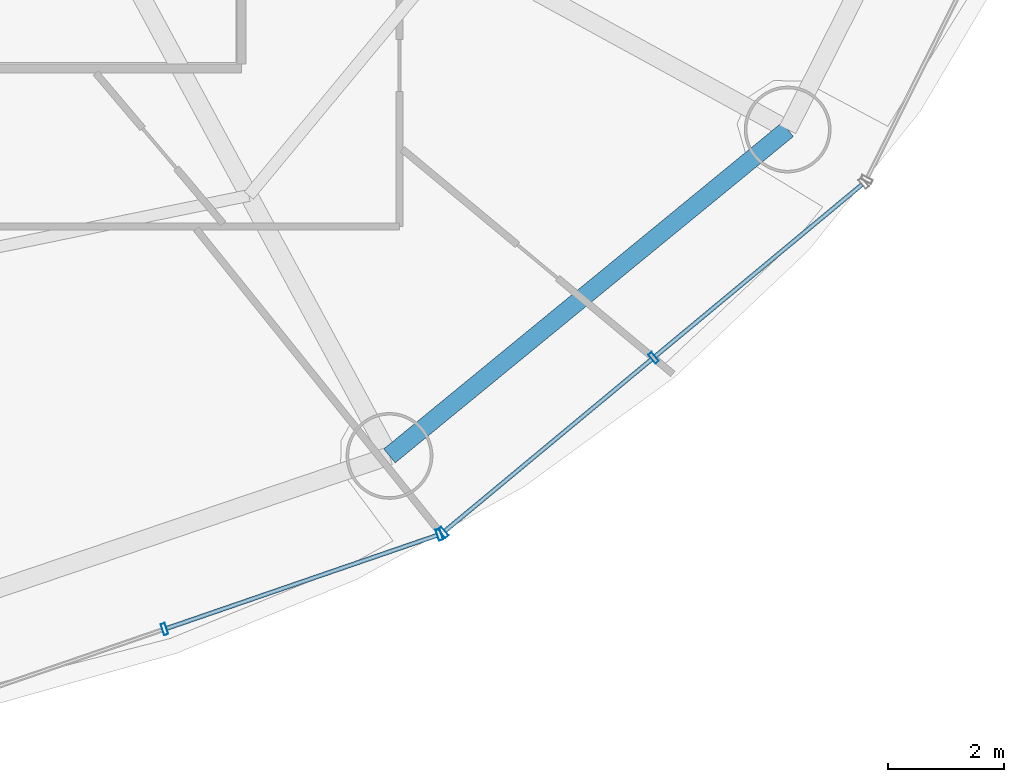
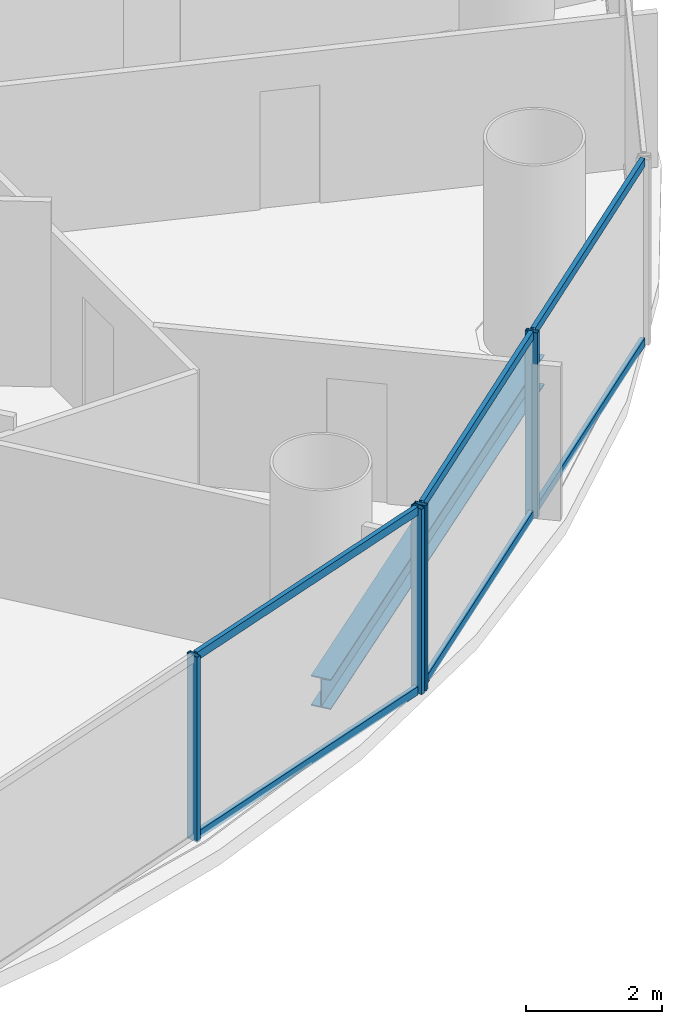
# One storey, part 11 of 29: 10 members, 1 beam, 2 elements without a shape of their own.
"""IFC4 building model written with IfcOpenShell, lengths in metres."""

from ifc_helpers import new_model, si_unit, direction, frame, origin, origin_2d, place, context, subcontext, project, spatial, hollow_rectangle, i_section, extrude, source, transform, mapped, material, material_profile, profile_set, type_object, element, aggregate, save


model = new_model("IFC4")

# Units and contexts
model_context = context("Model", 3, precision=1e-05, world=origin(), true_north=direction((-0.2419218956, 0.970295726276)))
body_context = subcontext(model_context, "Body", "Model", "MODEL_VIEW")
ifc_project = project(units=[si_unit("LENGTHUNIT", "METRE"), si_unit("AREAUNIT", "SQUARE_METRE"), si_unit("VOLUMEUNIT", "CUBIC_METRE"), si_unit("PLANEANGLEUNIT", "RADIAN"), si_unit("MASSUNIT", "GRAM", prefix="KILO")], contexts=[model_context])

# Site, building, storey
site_placement = place(None, origin())
site = spatial("IfcSite", under=ifc_project, at=site_placement, CompositionType="ELEMENT")
building_placement = place(site_placement, origin())
building = spatial("IfcBuilding", under=site, at=building_placement, Name="Cobrevalo Terracotta Tower", CompositionType="ELEMENT")
storey_placement = place(building_placement, frame((0.0, 0.0, 90.60009765625)))
storey = spatial("IfcBuildingStorey", under=building, at=storey_placement, Name="L23", CompositionType="ELEMENT", Elevation=90.60009765625)

# Beam
ifc_material_1 = material(Name="Steel S355", Category="steel")
ifc_material_profile_1 = material_profile(ifc_material_1, i_section(OverallWidth=0.31201171875, OverallDepth=0.54296875, WebThickness=0.0126953125, FlangeThickness=0.020263671875, at=origin_2d()), Name="W 530x150")
ifc_profile_set_1 = profile_set([ifc_material_profile_1], Name="Steel S355")
beam_type = type_object("IfcBeamType", Name="Structural Spandrel W 530x150 (Steel S355)", PredefinedType="SPANDREL", material=ifc_profile_set_1)
beam_placement = place(storey_placement, frame((51.861572265625, 9.79638671875, -0.546630859375), z_axis=(0.773400923541, 0.633917196064, 0.0), x_axis=(-0.633917196064, 0.773400923541, 0.0)))
element("IfcBeam", 1, at=beam_placement, inside=storey, type_object=beam_type, Name="L23 perimeter ring spandrel 14", PredefinedType="SPANDREL", context=body_context, shape_type="SweptSolid", body=[
    extrude(i_section(OverallWidth=0.31201171875, OverallDepth=0.54296875, WebThickness=0.0126953125, FlangeThickness=0.020263671875, at=origin_2d()), origin(), (0.0, 0.0, 1.0), 8.900390625),
])

# Curtain wall, members
ifc_material_2 = material(Name="Anodized aluminium", Category="aluminium")
curtain_wall_type = type_object("IfcCurtainWallType", Name="Lower-tower unitised acoustic low-E curtain wall CW-U1", PredefinedType="NOTDEFINED", material=ifc_material_2)
curtain_wall_1_placement = place(storey_placement, origin())
curtain_wall_1 = element("IfcCurtainWall", 2, at=curtain_wall_1_placement, inside=storey, type_object=curtain_wall_type, Name="L23 curtain wall CW-L23-S13", PredefinedType="NOTDEFINED")
ifc_material_profile_2 = material_profile(ifc_material_2, hollow_rectangle(XDim=0.074951171875, YDim=0.199951171875, WallThickness=0.0048828125, at=origin_2d()), Name="CWM 75x200")
ifc_profile_set_2 = profile_set([ifc_material_profile_2], Name="Anodized aluminium")
member_type_1 = type_object("IfcMemberType", Name="Lower/mid tower unitised mullion 75x200", PredefinedType="MULLION", material=ifc_profile_set_2)
shared_shape_1 = source(origin(), body_context, "Body", "SweptSolid", [
    extrude(hollow_rectangle(XDim=0.074951171875, YDim=0.199951171875, WallThickness=0.0048828125, at=origin_2d()), origin(), (0.0, 0.0, 1.0), 3.324951171875),
])
member_1_placement = place(storey_placement, frame((47.972412109375, 6.8017578125, 0.0), z_axis=(0.0, 0.0, 1.0), x_axis=(0.94559809868, 0.325337110968, 0.0)))
member_1 = element("IfcMember", 3, at=member_1_placement, type_object=member_type_1, Name="CW-L23-S13 vertical mullion 02", PredefinedType="MULLION", context=body_context, shape_type="MappedRepresentation", body=[
    mapped(shared_shape_1, transform((0.0, 0.0, 0.0), scale=1.0)),
])
member_2_placement = place(storey_placement, frame((52.7236328125, 8.4365234375, 0.0), z_axis=(0.0, 0.0, 1.0), x_axis=(0.94559809868, 0.325337110968, 0.0)))
member_2 = element("IfcMember", 4, at=member_2_placement, type_object=member_type_1, Name="CW-L23-S13 vertical mullion 03", PredefinedType="MULLION", context=body_context, shape_type="MappedRepresentation", body=[
    mapped(shared_shape_1, transform((0.0, 0.0, 0.0), scale=1.0)),
])

curtain_wall_2_placement = place(storey_placement, origin())
curtain_wall_2 = element("IfcCurtainWall", 5, at=curtain_wall_2_placement, inside=storey, type_object=curtain_wall_type, Name="L23 curtain wall CW-L23-S14", PredefinedType="NOTDEFINED")
member_3_placement = place(storey_placement, frame((52.792236328125, 8.47509765625, 0.0), z_axis=(0.0, 0.0, 1.0), x_axis=(0.769243451658, 0.638955798222, 0.0)))
member_3 = element("IfcMember", 6, at=member_3_placement, type_object=member_type_1, Name="CW-L23-S14 vertical mullion 01", PredefinedType="MULLION", context=body_context, shape_type="MappedRepresentation", body=[
    mapped(shared_shape_1, transform((0.0, 0.0, 0.0), scale=1.0)),
])
member_4_placement = place(storey_placement, frame((56.4267578125, 11.493896484375, 0.0), z_axis=(0.0, 0.0, 1.0), x_axis=(0.769243451658, 0.638955798222, 0.0)))
member_4 = element("IfcMember", 7, at=member_4_placement, type_object=member_type_1, Name="CW-L23-S14 vertical mullion 02", PredefinedType="MULLION", context=body_context, shape_type="MappedRepresentation", body=[
    mapped(shared_shape_1, transform((0.0, 0.0, 0.0), scale=1.0)),
])

# Member
ifc_material_profile_3 = material_profile(ifc_material_2, hollow_rectangle(XDim=0.074951171875, YDim=0.14990234375, WallThickness=0.00439453125, at=origin_2d()), Name="CWT 75x150")
ifc_profile_set_3 = profile_set([ifc_material_profile_3], Name="Anodized aluminium")
member_type_2 = type_object("IfcMemberType", Name="Tower unitised aluminium transom 75x150", PredefinedType="USERDEFINED", material=ifc_profile_set_3)
shared_shape_2 = source(origin(), body_context, "Body", "SweptSolid", [
    extrude(hollow_rectangle(XDim=0.074951171875, YDim=0.14990234375, WallThickness=0.00439453125, at=origin_2d()), origin(), (0.0, 0.0, 1.0), 4.944580078125),
])
member_5_placement = place(storey_placement, frame((48.01025390625, 6.814697265625, 0.0498046875), z_axis=(0.945597859971, 0.32533780478, 0.0), x_axis=(-0.32533780478, 0.945597859971, 0.0)))
member_5 = element("IfcMember", 8, at=member_5_placement, type_object=member_type_2, Name="CW-L23-S13 transom B02-T1", ObjectType="TRANSOM", PredefinedType="USERDEFINED", context=body_context, shape_type="MappedRepresentation", body=[
    mapped(shared_shape_2, transform((0.0, 0.0, 0.0), scale=1.0)),
])

member_6_placement = place(storey_placement, frame((48.01025390625, 6.814697265625, 3.27490234375), z_axis=(0.945597859971, 0.32533780478, 0.0), x_axis=(-0.32533780478, 0.945597859971, 0.0)))
member_6 = element("IfcMember", 9, at=member_6_placement, type_object=member_type_2, Name="CW-L23-S13 transom B02-T2", ObjectType="TRANSOM", PredefinedType="USERDEFINED", context=body_context, shape_type="MappedRepresentation", body=[
    mapped(shared_shape_2, transform((0.0, 0.0, 0.0), scale=1.0)),
])

aggregate(curtain_wall_1, [member_1, member_2, member_5, member_6])

shared_shape_3 = source(origin(), body_context, "Body", "SweptSolid", [
    extrude(hollow_rectangle(XDim=0.074951171875, YDim=0.14990234375, WallThickness=0.00439453125, at=origin_2d()), origin(), (0.0, 0.0, 1.0), 4.64501953125),
])
member_7_placement = place(storey_placement, frame((52.822998046875, 8.50048828125, 0.0498046875), z_axis=(0.769224156193, 0.638979027457, 0.0), x_axis=(-0.638979027457, 0.769224156193, 0.0)))
member_7 = element("IfcMember", 10, at=member_7_placement, type_object=member_type_2, Name="CW-L23-S14 transom B01-T1", ObjectType="TRANSOM", PredefinedType="USERDEFINED", context=body_context, shape_type="MappedRepresentation", body=[
    mapped(shared_shape_3, transform((0.0, 0.0, 0.0), scale=1.0)),
])

member_8_placement = place(storey_placement, frame((52.822998046875, 8.50048828125, 3.27490234375), z_axis=(0.769224156193, 0.638979027457, 0.0), x_axis=(-0.638979027457, 0.769224156193, 0.0)))
member_8 = element("IfcMember", 11, at=member_8_placement, type_object=member_type_2, Name="CW-L23-S14 transom B01-T2", ObjectType="TRANSOM", PredefinedType="USERDEFINED", context=body_context, shape_type="MappedRepresentation", body=[
    mapped(shared_shape_3, transform((0.0, 0.0, 0.0), scale=1.0)),
])

member_9_placement = place(storey_placement, frame((56.45751953125, 11.51953125, 0.0498046875), z_axis=(0.769224156193, 0.638979027457, 0.0), x_axis=(-0.638979027457, 0.769224156193, 0.0)))
member_9 = element("IfcMember", 12, at=member_9_placement, type_object=member_type_2, Name="CW-L23-S14 transom B02-T1", ObjectType="TRANSOM", PredefinedType="USERDEFINED", context=body_context, shape_type="MappedRepresentation", body=[
    mapped(shared_shape_3, transform((0.0, 0.0, 0.0), scale=1.0)),
])

member_10_placement = place(storey_placement, frame((56.45751953125, 11.51953125, 3.27490234375), z_axis=(0.769224156193, 0.638979027457, 0.0), x_axis=(-0.638979027457, 0.769224156193, 0.0)))
member_10 = element("IfcMember", 13, at=member_10_placement, type_object=member_type_2, Name="CW-L23-S14 transom B02-T2", ObjectType="TRANSOM", PredefinedType="USERDEFINED", context=body_context, shape_type="MappedRepresentation", body=[
    mapped(shared_shape_3, transform((0.0, 0.0, 0.0), scale=1.0)),
])

aggregate(curtain_wall_2, [member_3, member_4, member_7, member_8, member_9, member_10])

save(model, "model.ifc")
